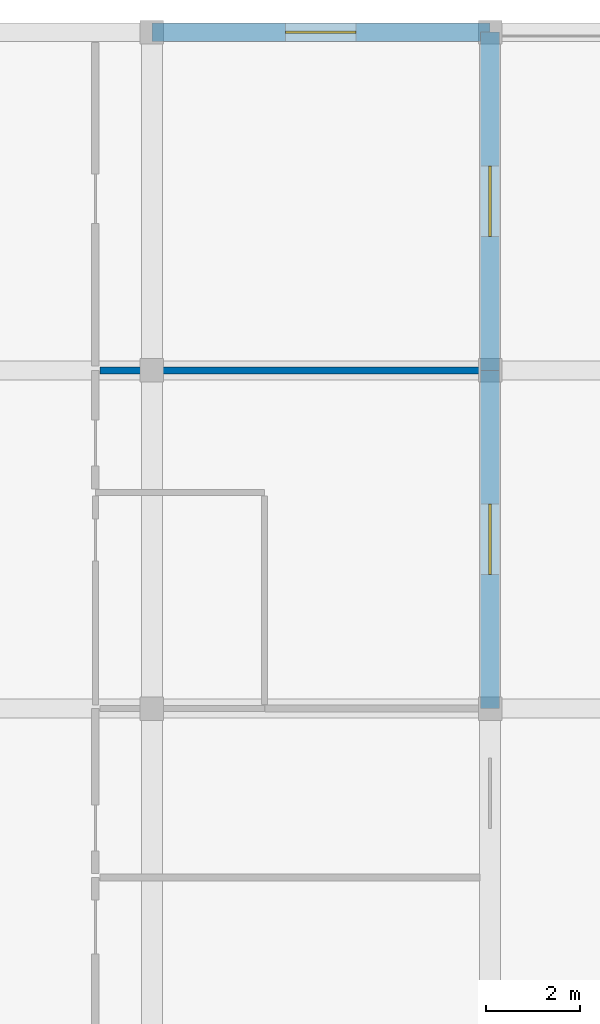
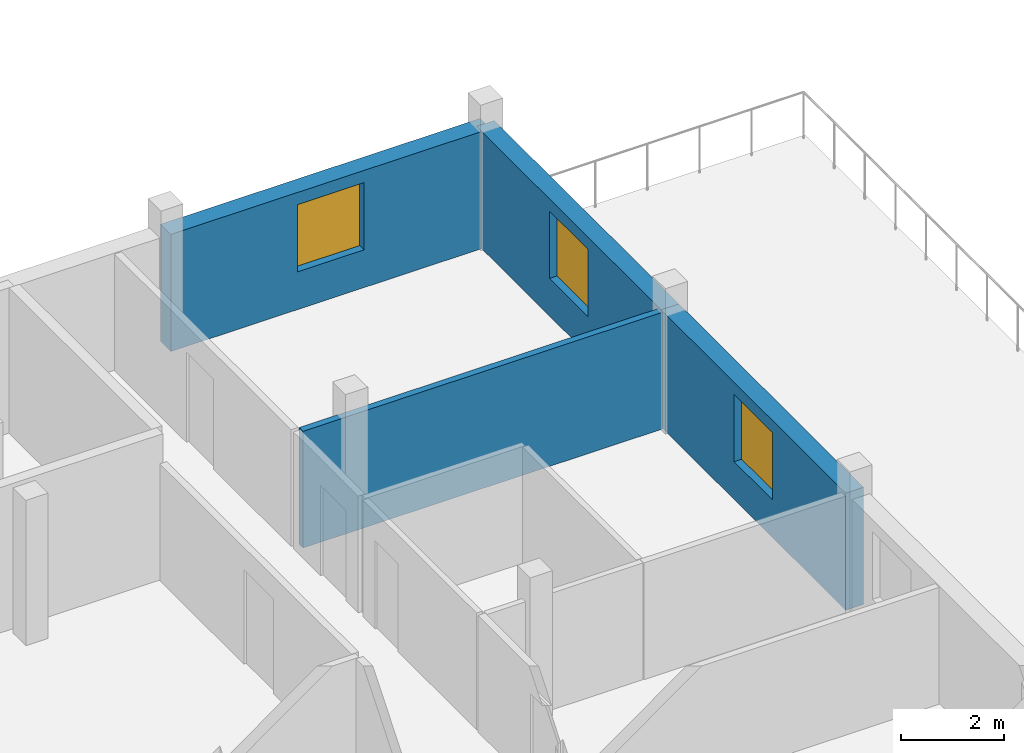
# One storey, part 58 of 66: 4 walls, 3 windows, 3 openings.
"""IFC4 building model written with IfcOpenShell, lengths in metres."""

from ifc_helpers import new_model, si_unit, direction, frame, frame_2d, origin, place, context, subcontext, project, spatial, rectangle, extrude, material, layer, layer_set, type_object, element, fill, save


model = new_model("IFC4")

# Units and contexts
model_context = context("Model", 3, precision=1e-05, world=origin(), true_north=direction((0.0, 1.0)))
body_context = subcontext(model_context, "Body", "Model", "MODEL_VIEW")
ifc_project = project(units=[si_unit("LENGTHUNIT", "METRE"), si_unit("AREAUNIT", "SQUARE_METRE"), si_unit("VOLUMEUNIT", "CUBIC_METRE"), si_unit("PLANEANGLEUNIT", "RADIAN"), si_unit("MASSUNIT", "GRAM", prefix="KILO")], contexts=[model_context])

# Site, building, storey
site_placement = place(None, origin())
site = spatial("IfcSite", under=ifc_project, at=site_placement, CompositionType="ELEMENT")
building_placement = place(site_placement, origin())
building = spatial("IfcBuilding", under=site, at=building_placement, Name="Zornivar Specialist Clinic", CompositionType="ELEMENT")
storey_placement = place(building_placement, frame((0.0, 0.0, 16.0)))
storey = spatial("IfcBuildingStorey", under=building, at=storey_placement, Name="L04", CompositionType="ELEMENT", Elevation=16.0)

# Wall, opening, window
ifc_material_1 = material(Name="Masonry Hygienic Insulated Procedure Wing Wall", Category="masonry")
ifc_layer_1 = layer(ifc_material_1, 0.39990234375)
ifc_layer_set_1 = layer_set([ifc_layer_1], Name="Masonry Hygienic Insulated Procedure Wing Wall")
wall_type_1 = type_object("IfcWallType", Name="EW-PROC-400", PredefinedType="SOLIDWALL", material=ifc_layer_set_1)
wall_1_placement = place(storey_placement, frame((21.60009765625, 93.60009765625, 0.0), z_axis=(0.0, 0.0, 1.0), x_axis=(0.0, 1.0, 0.0)))
wall_1 = element("IfcWall", 1, at=wall_1_placement, inside=storey, type_object=wall_type_1, Name="ew:V5:L04:05", PredefinedType="SOLIDWALL", context=body_context, shape_type="SweptSolid", body=[
    extrude(rectangle(XDim=7.199951171875, YDim=0.39990234375, at=frame_2d((3.60009765625, 0.0))), origin(), (0.0, 0.0, 1.0), 2.7900390625),
])
opening_1_placement = place(wall_1_placement, frame((2.85009765625, 0.0, 0.89990234375)))
opening_1 = element("IfcOpeningElement", 2, at=opening_1_placement, cuts=wall_1, Name="Opening W-18", PredefinedType="OPENING", context=body_context, shape_type="SweptSolid", body=[
    extrude(rectangle(XDim=1.5, YDim=1.60009765625, at=frame_2d((0.75, 0.800048828125))), frame((0.0, 0.2099609375, 0.0), z_axis=(0.0, -1.0, 0.0), x_axis=(1.0, 0.0, 0.0)), (0.0, 0.0, 1.0), 0.419921875),
])
ifc_material_2 = material(Name="Triple-Glazed Aluminium-Timber Window Glass", Category="wood")
window_type = type_object("IfcWindowType", Name="WIN-PROC-UPPER-1500x1600", PartitioningType="SINGLE_PANEL", PredefinedType="WINDOW", material=ifc_material_2)
window_1_placement = place(opening_1_placement, origin())
window_1 = element("IfcWindow", 3, at=window_1_placement, inside=storey, type_object=window_type, Name="win:V5:L04:05", OverallHeight=1.60009765625, OverallWidth=1.5, PartitioningType="SINGLE_PANEL", PredefinedType="WINDOW", context=body_context, shape_type="SweptSolid", body=[
    extrude(rectangle(XDim=1.5, YDim=1.60009765625, at=frame_2d((0.75, 0.800048828125))), frame((0.0, 0.030029296875, 0.0), z_axis=(0.0, -1.0, 0.0), x_axis=(1.0, 0.0, 0.0)), (0.0, 0.0, 1.0), 0.06005859375),
])
fill(opening_1, window_1)

wall_2_placement = place(storey_placement, frame((21.60009765625, 100.800048828125, 0.0), z_axis=(0.0, 0.0, 1.0), x_axis=(0.0, 1.0, 0.0)))
wall_2 = element("IfcWall", 4, at=wall_2_placement, inside=storey, type_object=wall_type_1, Name="ew:V5:L04:06", PredefinedType="SOLIDWALL", context=body_context, shape_type="SweptSolid", body=[
    extrude(rectangle(XDim=7.199951171875, YDim=0.39990234375, at=frame_2d((3.60009765625, 0.0))), origin(), (0.0, 0.0, 1.0), 2.7900390625),
])
opening_2_placement = place(wall_2_placement, frame((2.85009765625, 0.0, 0.89990234375)))
opening_2 = element("IfcOpeningElement", 5, at=opening_2_placement, cuts=wall_2, Name="Opening W-18", PredefinedType="OPENING", context=body_context, shape_type="SweptSolid", body=[
    extrude(rectangle(XDim=1.5, YDim=1.60009765625, at=frame_2d((0.75, 0.800048828125))), frame((0.0, 0.2099609375, 0.0), z_axis=(0.0, -1.0, 0.0), x_axis=(1.0, 0.0, 0.0)), (0.0, 0.0, 1.0), 0.419921875),
])
window_2_placement = place(opening_2_placement, origin())
window_2 = element("IfcWindow", 6, at=window_2_placement, inside=storey, type_object=window_type, Name="win:V5:L04:06", OverallHeight=1.60009765625, OverallWidth=1.5, PartitioningType="SINGLE_PANEL", PredefinedType="WINDOW", context=body_context, shape_type="SweptSolid", body=[
    extrude(rectangle(XDim=1.5, YDim=1.60009765625, at=frame_2d((0.75, 0.800048828125))), frame((0.0, 0.030029296875, 0.0), z_axis=(0.0, -1.0, 0.0), x_axis=(1.0, 0.0, 0.0)), (0.0, 0.0, 1.0), 0.06005859375),
])
fill(opening_2, window_2)

wall_3_placement = place(storey_placement, frame((21.60009765625, 108.0, 0.0), z_axis=(0.0, 0.0, 1.0), x_axis=(-1.0, 0.0, 0.0)))
wall_3 = element("IfcWall", 7, at=wall_3_placement, inside=storey, type_object=wall_type_1, Name="ew:V5:L04:07", PredefinedType="SOLIDWALL", context=body_context, shape_type="SweptSolid", body=[
    extrude(rectangle(XDim=7.2001953125, YDim=0.39990234375, at=frame_2d((3.60009765625, 0.0))), origin(), (0.0, 0.0, 1.0), 2.7900390625),
])
opening_3_placement = place(wall_3_placement, frame((2.85009765625, 0.0, 0.89990234375)))
opening_3 = element("IfcOpeningElement", 8, at=opening_3_placement, cuts=wall_3, Name="Opening W-18", PredefinedType="OPENING", context=body_context, shape_type="SweptSolid", body=[
    extrude(rectangle(XDim=1.5, YDim=1.60009765625, at=frame_2d((0.75, 0.800048828125))), frame((0.0, 0.2099609375, 0.0), z_axis=(0.0, -1.0, 0.0), x_axis=(1.0, 0.0, 0.0)), (0.0, 0.0, 1.0), 0.419921875),
])
window_3_placement = place(opening_3_placement, origin())
window_3 = element("IfcWindow", 9, at=window_3_placement, inside=storey, type_object=window_type, Name="win:V5:L04:07", OverallHeight=1.60009765625, OverallWidth=1.5, PartitioningType="SINGLE_PANEL", PredefinedType="WINDOW", context=body_context, shape_type="SweptSolid", body=[
    extrude(rectangle(XDim=1.5, YDim=1.60009765625, at=frame_2d((0.75, 0.800048828125))), frame((0.0, 0.030029296875, 0.0), z_axis=(0.0, -1.0, 0.0), x_axis=(1.0, 0.0, 0.0)), (0.0, 0.0, 1.0), 0.06005859375),
])
fill(opening_3, window_3)

# Wall
ifc_material_3 = material(Name="Hygienic Lead-Free Procedure Partition")
ifc_layer_2 = layer(ifc_material_3, 0.14990234375)
ifc_layer_set_2 = layer_set([ifc_layer_2], Name="Hygienic Lead-Free Procedure Partition")
wall_type_2 = type_object("IfcWallType", Name="IW-PROC-150", PredefinedType="PARTITIONING", material=ifc_layer_set_2)
wall_4_placement = place(storey_placement, frame((13.2939453125, 100.800048828125, 0.0), z_axis=(0.0, 0.0, 1.0), x_axis=(1.0, 0.0, 0.0)))
element("IfcWall", 10, at=wall_4_placement, inside=storey, type_object=wall_type_2, Name="iw:L04:052", PredefinedType="PARTITIONING", context=body_context, shape_type="SweptSolid", body=[
    extrude(rectangle(XDim=8.091064453125, YDim=0.14990234375, at=frame_2d((4.04541015625, 0.0))), origin(), (0.0, 0.0, 1.0), 2.780029296875),
])

save(model, "model.ifc")
